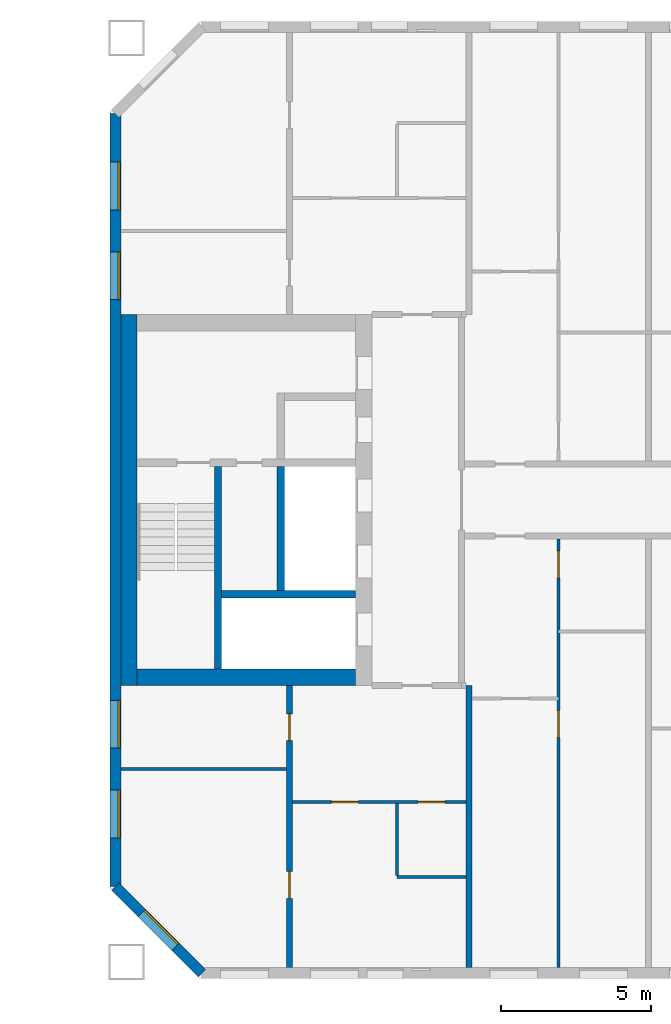
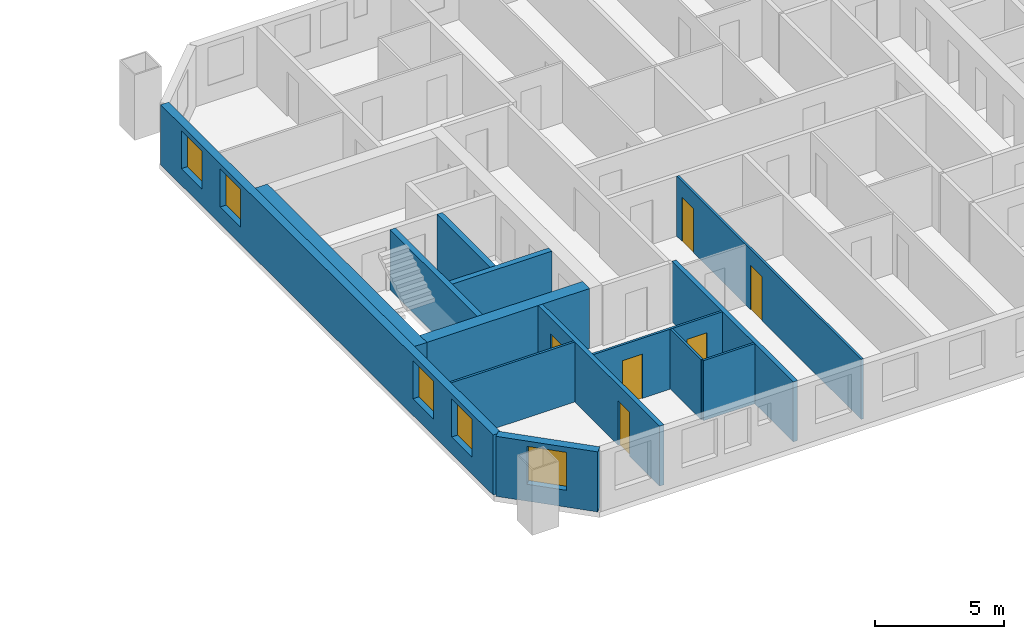
# One storey, part 9 of 16: 14 walls, 6 doors, 5 windows, 11 openings.
"""IFC4 building model written with IfcOpenShell, lengths in metres."""

from ifc_helpers import new_model, si_unit, direction, frame, frame_2d, origin, place, context, subcontext, project, spatial, rectangle, extrude, material, layer, layer_set, type_object, element, fill, save


model = new_model("IFC4")

# Units and contexts
model_context = context("Model", 3, precision=1e-05, world=origin(), true_north=direction((0.0, 1.0)))
body_context = subcontext(model_context, "Body", "Model", "MODEL_VIEW")
ifc_project = project(units=[si_unit("LENGTHUNIT", "METRE"), si_unit("AREAUNIT", "SQUARE_METRE"), si_unit("VOLUMEUNIT", "CUBIC_METRE"), si_unit("PLANEANGLEUNIT", "RADIAN"), si_unit("MASSUNIT", "GRAM", prefix="KILO")], contexts=[model_context])

# Site, building, storey
site_placement = place(None, origin())
site = spatial("IfcSite", under=ifc_project, at=site_placement, CompositionType="ELEMENT")
building_placement = place(site_placement, origin())
building = spatial("IfcBuilding", under=site, at=building_placement, Name="Tuart Gate Housing", CompositionType="ELEMENT")
storey_placement = place(building_placement, frame((0.0, 0.0, 129.89990234375)))
storey = spatial("IfcBuildingStorey", under=building, at=storey_placement, Name="L36", CompositionType="ELEMENT", Elevation=129.89990234375)

# Wall, opening, window
ifc_material_1 = material(Name="Brick", Category="masonry")
ifc_layer_1 = layer(ifc_material_1, 0.360107421875)
ifc_layer_set_1 = layer_set([ifc_layer_1], Name="Brick pier and spandrel wall 360")
wall_type_1 = type_object("IfcWallType", Name="Brick pier and spandrel wall 360", PredefinedType="STANDARD", material=ifc_layer_set_1)
wall_1_placement = place(storey_placement, frame((131.179931640625, 57.07470703125, 0.0), z_axis=(0.0, 0.0, 1.0), x_axis=(0.707106781187, -0.707106781187, 0.0)))
wall_1 = element("IfcWall", 1, at=wall_1_placement, inside=storey, type_object=wall_type_1, Name="External wall B-SW L36", PredefinedType="STANDARD", context=body_context, shape_type="SweptSolid", body=[
    extrude(rectangle(XDim=4.09375, YDim=0.360107421875, at=frame_2d((2.046875, 0.0))), origin(), (0.0, 0.0, 1.0), 2.85009765625),
])
opening_1_placement = place(wall_1_placement, frame((1.2470703125, 0.0, 0.800048828125)))
opening_1 = element("IfcOpeningElement", 2, at=opening_1_placement, cuts=wall_1, Name="Opening W1", PredefinedType="OPENING", context=body_context, shape_type="SweptSolid", body=[
    extrude(rectangle(XDim=1.60009765625, YDim=1.800048828125, at=frame_2d((0.800048828125, 0.89990234375))), frame((0.0, 0.18994140625, 0.0), z_axis=(0.0, -1.0, 0.0), x_axis=(1.0, 0.0, 0.0)), (0.0, 0.0, 1.0), 0.380126953125),
])
ifc_material_2 = material(Name="Aluminium frame with clear glass", Category="aluminium")
window_type = type_object("IfcWindowType", Name="Punched window 1600 x 1800", PartitioningType="SINGLE_PANEL", PredefinedType="WINDOW", material=ifc_material_2)
window_1_placement = place(opening_1_placement, origin())
window_1 = element("IfcWindow", 3, at=window_1_placement, inside=storey, type_object=window_type, Name="Window W1", OverallHeight=1.800048828125, OverallWidth=1.60009765625, PartitioningType="SINGLE_PANEL", PredefinedType="WINDOW", context=body_context, shape_type="SweptSolid", body=[
    extrude(rectangle(XDim=1.60009765625, YDim=1.800048828125, at=frame_2d((0.800048828125, 0.89990234375))), frame((0.0, 0.150146484375, 0.0), z_axis=(0.0, -1.0, 0.0), x_axis=(1.0, 0.0, 0.0)), (0.0, 0.0, 1.0), 0.06005859375),
])
fill(opening_1, window_1)

# Wall, openings, windows
wall_2_placement = place(storey_placement, frame((131.179931640625, 82.92529296875, 0.0), z_axis=(0.0, 0.0, 1.0), x_axis=(0.0, -1.0, 0.0)))
wall_2 = element("IfcWall", 4, at=wall_2_placement, inside=storey, type_object=wall_type_1, Name="External wall B-W L36", PredefinedType="STANDARD", context=body_context, shape_type="SweptSolid", body=[
    extrude(rectangle(XDim=25.850830078125, YDim=0.360107421875, at=frame_2d((12.92529296875, 0.0))), origin(), (0.0, 0.0, 1.0), 2.85009765625),
])
opening_2_placement = place(wall_2_placement, frame((1.62548828125, 0.0, 0.800048828125)))
opening_2 = element("IfcOpeningElement", 5, at=opening_2_placement, cuts=wall_2, Name="Opening W1", PredefinedType="OPENING", context=body_context, shape_type="SweptSolid", body=[
    extrude(rectangle(XDim=1.60009765625, YDim=1.800048828125, at=frame_2d((0.800048828125, 0.89990234375))), frame((0.0, 0.18994140625, 0.0), z_axis=(0.0, -1.0, 0.0), x_axis=(1.0, 0.0, 0.0)), (0.0, 0.0, 1.0), 0.380126953125),
])
opening_3_placement = place(wall_2_placement, frame((4.62548828125, 0.0, 0.800048828125)))
opening_3 = element("IfcOpeningElement", 6, at=opening_3_placement, cuts=wall_2, Name="Opening W1", PredefinedType="OPENING", context=body_context, shape_type="SweptSolid", body=[
    extrude(rectangle(XDim=1.60009765625, YDim=1.800048828125, at=frame_2d((0.800048828125, 0.89990234375))), frame((0.0, 0.18994140625, 0.0), z_axis=(0.0, -1.0, 0.0), x_axis=(1.0, 0.0, 0.0)), (0.0, 0.0, 1.0), 0.380126953125),
])
opening_4_placement = place(wall_2_placement, frame((19.62548828125, 0.0, 0.800048828125)))
opening_4 = element("IfcOpeningElement", 7, at=opening_4_placement, cuts=wall_2, Name="Opening W1", PredefinedType="OPENING", context=body_context, shape_type="SweptSolid", body=[
    extrude(rectangle(XDim=1.60009765625, YDim=1.800048828125, at=frame_2d((0.800048828125, 0.89990234375))), frame((0.0, 0.18994140625, 0.0), z_axis=(0.0, -1.0, 0.0), x_axis=(1.0, 0.0, 0.0)), (0.0, 0.0, 1.0), 0.380126953125),
])
opening_5_placement = place(wall_2_placement, frame((22.62548828125, 0.0, 0.800048828125)))
opening_5 = element("IfcOpeningElement", 8, at=opening_5_placement, cuts=wall_2, Name="Opening W1", PredefinedType="OPENING", context=body_context, shape_type="SweptSolid", body=[
    extrude(rectangle(XDim=1.60009765625, YDim=1.800048828125, at=frame_2d((0.800048828125, 0.89990234375))), frame((0.0, 0.18994140625, 0.0), z_axis=(0.0, -1.0, 0.0), x_axis=(1.0, 0.0, 0.0)), (0.0, 0.0, 1.0), 0.380126953125),
])
window_2_placement = place(opening_2_placement, origin())
window_2 = element("IfcWindow", 9, at=window_2_placement, inside=storey, type_object=window_type, Name="Window W1", OverallHeight=1.800048828125, OverallWidth=1.60009765625, PartitioningType="SINGLE_PANEL", PredefinedType="WINDOW", context=body_context, shape_type="SweptSolid", body=[
    extrude(rectangle(XDim=1.60009765625, YDim=1.800048828125, at=frame_2d((0.800048828125, 0.89990234375))), frame((0.0, 0.150146484375, 0.0), z_axis=(0.0, -1.0, 0.0), x_axis=(1.0, 0.0, 0.0)), (0.0, 0.0, 1.0), 0.06005859375),
])
fill(opening_2, window_2)
window_3_placement = place(opening_3_placement, origin())
window_3 = element("IfcWindow", 10, at=window_3_placement, inside=storey, type_object=window_type, Name="Window W1", OverallHeight=1.800048828125, OverallWidth=1.60009765625, PartitioningType="SINGLE_PANEL", PredefinedType="WINDOW", context=body_context, shape_type="SweptSolid", body=[
    extrude(rectangle(XDim=1.60009765625, YDim=1.800048828125, at=frame_2d((0.800048828125, 0.89990234375))), frame((0.0, 0.150146484375, 0.0), z_axis=(0.0, -1.0, 0.0), x_axis=(1.0, 0.0, 0.0)), (0.0, 0.0, 1.0), 0.06005859375),
])
fill(opening_3, window_3)
window_4_placement = place(opening_4_placement, origin())
window_4 = element("IfcWindow", 11, at=window_4_placement, inside=storey, type_object=window_type, Name="Window W1", OverallHeight=1.800048828125, OverallWidth=1.60009765625, PartitioningType="SINGLE_PANEL", PredefinedType="WINDOW", context=body_context, shape_type="SweptSolid", body=[
    extrude(rectangle(XDim=1.60009765625, YDim=1.800048828125, at=frame_2d((0.800048828125, 0.89990234375))), frame((0.0, 0.150146484375, 0.0), z_axis=(0.0, -1.0, 0.0), x_axis=(1.0, 0.0, 0.0)), (0.0, 0.0, 1.0), 0.06005859375),
])
fill(opening_4, window_4)
window_5_placement = place(opening_5_placement, origin())
window_5 = element("IfcWindow", 12, at=window_5_placement, inside=storey, type_object=window_type, Name="Window W1", OverallHeight=1.800048828125, OverallWidth=1.60009765625, PartitioningType="SINGLE_PANEL", PredefinedType="WINDOW", context=body_context, shape_type="SweptSolid", body=[
    extrude(rectangle(XDim=1.60009765625, YDim=1.800048828125, at=frame_2d((0.800048828125, 0.89990234375))), frame((0.0, 0.150146484375, 0.0), z_axis=(0.0, -1.0, 0.0), x_axis=(1.0, 0.0, 0.0)), (0.0, 0.0, 1.0), 0.06005859375),
])
fill(opening_5, window_5)

# Walls
ifc_material_3 = material(Name="Concrete C50", Category="concrete")
ifc_layer_2 = layer(ifc_material_3, 0.25)
ifc_layer_set_2 = layer_set([ifc_layer_2], Name="Core wall 250 C50")
wall_type_2 = type_object("IfcWallType", Name="Core wall 250 C50", PredefinedType="SHEAR", material=ifc_layer_set_2)
wall_3_placement = place(storey_placement, frame((139.2099609375, 66.85009765625, 0.0), z_axis=(0.0, 0.0, 1.0), x_axis=(-1.0, 0.0, 0.0)))
element("IfcWall", 13, at=wall_3_placement, inside=storey, type_object=wall_type_2, Name="Core wall BG.1", PredefinedType="SHEAR", context=body_context, shape_type="SweptSolid", body=[
    extrude(rectangle(XDim=4.474853515625, YDim=0.25, at=frame_2d((2.2373046875, 0.0))), origin(), (0.0, 0.0, 1.0), 2.85009765625),
])
wall_4_placement = place(storey_placement, frame((136.7099609375, 66.97509765625, 0.0), z_axis=(0.0, 0.0, 1.0), x_axis=(0.0, 1.0, 0.0)))
element("IfcWall", 14, at=wall_4_placement, inside=storey, type_object=wall_type_2, Name="Core wall BG.4", PredefinedType="SHEAR", context=body_context, shape_type="SweptSolid", body=[
    extrude(rectangle(XDim=4.14990234375, YDim=0.25, at=frame_2d((2.074951171875, 0.0))), origin(), (0.0, 0.0, 1.0), 2.85009765625),
])
wall_5_placement = place(storey_placement, frame((134.610107421875, 64.35009765625, 0.0), z_axis=(0.0, 0.0, 1.0), x_axis=(0.0, 1.0, 0.0)))
element("IfcWall", 15, at=wall_5_placement, inside=storey, type_object=wall_type_2, Name="Core wall BG.6", PredefinedType="SHEAR", context=body_context, shape_type="SweptSolid", body=[
    extrude(rectangle(XDim=6.77490234375, YDim=0.25, at=frame_2d((3.387451171875, 0.0))), origin(), (0.0, 0.0, 1.0), 2.85009765625),
])
ifc_material_4 = material(Name="Concrete C50", Category="concrete")
ifc_layer_3 = layer(ifc_material_4, 0.550048828125)
ifc_layer_set_3 = layer_set([ifc_layer_3], Name="Core wall 550 C50")
wall_type_3 = type_object("IfcWallType", Name="Core wall 550 C50", PredefinedType="SHEAR", material=ifc_layer_set_3)
wall_6_placement = place(storey_placement, frame((131.635009765625, 63.800048828125, 0.0), z_axis=(0.0, 0.0, 1.0), x_axis=(0.0, 1.0, 0.0)))
element("IfcWall", 16, at=wall_6_placement, inside=storey, type_object=wall_type_3, Name="Core wall BG back", PredefinedType="SHEAR", context=body_context, shape_type="SweptSolid", body=[
    extrude(rectangle(XDim=12.39990234375, YDim=0.550048828125, at=frame_2d((6.199951171875, 0.0))), origin(), (0.0, 0.0, 1.0), 2.85009765625),
])
wall_7_placement = place(storey_placement, frame((139.2099609375, 64.074951171875, 0.0), z_axis=(0.0, 0.0, 1.0), x_axis=(-1.0, 0.0, 0.0)))
element("IfcWall", 17, at=wall_7_placement, inside=storey, type_object=wall_type_3, Name="Core wall BG south", PredefinedType="SHEAR", context=body_context, shape_type="SweptSolid", body=[
    extrude(rectangle(XDim=7.300048828125, YDim=0.550048828125, at=frame_2d((3.64990234375, 0.0))), origin(), (0.0, 0.0, 1.0), 2.85009765625),
])
ifc_material_5 = material(Name="Gypsum board on steel studs", Category="steel")
ifc_layer_4 = layer(ifc_material_5, 0.10009765625)
ifc_layer_set_4 = layer_set([ifc_layer_4], Name="Partition 100")
wall_type_4 = type_object("IfcWallType", Name="Partition 100", PredefinedType="PARTITIONING", material=ifc_layer_set_4)
wall_8_placement = place(storey_placement, frame((140.60009765625, 57.39990234375, 0.0), z_axis=(0.0, 0.0, 1.0), x_axis=(1.0, 0.0, 0.0)))
element("IfcWall", 18, at=wall_8_placement, inside=storey, type_object=wall_type_4, Name="Partition 100", PredefinedType="PARTITIONING", context=body_context, shape_type="SweptSolid", body=[
    extrude(rectangle(XDim=2.2998046875, YDim=0.10009765625, at=frame_2d((1.14990234375, 0.0))), origin(), (0.0, 0.0, 1.0), 2.85009765625),
])

# Wall, openings, doors
wall_9_placement = place(storey_placement, frame((137.10009765625, 59.89990234375, 0.0), z_axis=(0.0, 0.0, 1.0), x_axis=(1.0, 0.0, 0.0)))
wall_9 = element("IfcWall", 19, at=wall_9_placement, inside=storey, type_object=wall_type_4, Name="Partition 100", PredefinedType="PARTITIONING", context=body_context, shape_type="SweptSolid", body=[
    extrude(rectangle(XDim=5.7998046875, YDim=0.10009765625, at=frame_2d((2.89990234375, 0.0))), origin(), (0.0, 0.0, 1.0), 2.85009765625),
])
opening_6_placement = place(wall_9_placement, frame((1.300048828125, 0.0, 0.0)))
opening_6 = element("IfcOpeningElement", 20, at=opening_6_placement, cuts=wall_9, Name="Opening D1396", PredefinedType="OPENING", context=body_context, shape_type="SweptSolid", body=[
    extrude(rectangle(XDim=0.89990234375, YDim=2.10009765625, at=frame_2d((0.449951171875, 1.050048828125))), frame((0.0, 0.06005859375, 0.0), z_axis=(0.0, -1.0, 0.0), x_axis=(1.0, 0.0, 0.0)), (0.0, 0.0, 1.0), 0.1201171875),
])
opening_7_placement = place(wall_9_placement, frame((4.199951171875, 0.0, 0.0)))
opening_7 = element("IfcOpeningElement", 21, at=opening_7_placement, cuts=wall_9, Name="Opening D1395", PredefinedType="OPENING", context=body_context, shape_type="SweptSolid", body=[
    extrude(rectangle(XDim=0.89990234375, YDim=2.10009765625, at=frame_2d((0.449951171875, 1.050048828125))), frame((0.0, 0.06005859375, 0.0), z_axis=(0.0, -1.0, 0.0), x_axis=(1.0, 0.0, 0.0)), (0.0, 0.0, 1.0), 0.1201171875),
])
ifc_material_6 = material(Name="Timber door leaf in steel frame", Category="steel")
door_type_1 = type_object("IfcDoorType", Name="Bathroom door 900 RH", OperationType="SINGLE_SWING_RIGHT", PredefinedType="DOOR", material=ifc_material_6)
door_1_placement = place(opening_7_placement, frame((0.89990234375, 0.0, 0.0), z_axis=(0.0, 0.0, 1.0), x_axis=(-1.0, 0.0, 0.0)))
door_1 = element("IfcDoor", 22, at=door_1_placement, inside=storey, type_object=door_type_1, Name="Bathroom door", OperationType="SINGLE_SWING_RIGHT", OverallHeight=2.10009765625, OverallWidth=0.89990234375, PredefinedType="DOOR", context=body_context, shape_type="SweptSolid", body=[
    extrude(rectangle(XDim=0.89990234375, YDim=2.10009765625, at=frame_2d((0.449951171875, 1.050048828125))), frame((0.0, 0.025146484375, 0.0), z_axis=(0.0, -1.0, 0.0), x_axis=(1.0, 0.0, 0.0)), (0.0, 0.0, 1.0), 0.050048828125),
])
fill(opening_7, door_1)
ifc_material_7 = material(Name="Timber door leaf in steel frame", Category="steel")
door_type_2 = type_object("IfcDoorType", Name="Internal door 900", OperationType="SINGLE_SWING_LEFT", PredefinedType="DOOR", material=ifc_material_7)
door_2_placement = place(opening_6_placement, origin())
door_2 = element("IfcDoor", 23, at=door_2_placement, inside=storey, type_object=door_type_2, Name="Internal door", OperationType="SINGLE_SWING_LEFT", OverallHeight=2.10009765625, OverallWidth=0.89990234375, PredefinedType="DOOR", context=body_context, shape_type="SweptSolid", body=[
    extrude(rectangle(XDim=0.89990234375, YDim=2.10009765625, at=frame_2d((0.449951171875, 1.050048828125))), frame((0.0, 0.02490234375, 0.0), z_axis=(0.0, -1.0, 0.0), x_axis=(1.0, 0.0, 0.0)), (0.0, 0.0, 1.0), 0.050048828125),
])
fill(opening_6, door_2)

# Walls
wall_10_placement = place(storey_placement, frame((131.360107421875, 61.0, 0.0), z_axis=(0.0, 0.0, 1.0), x_axis=(1.0, 0.0, 0.0)))
element("IfcWall", 24, at=wall_10_placement, inside=storey, type_object=wall_type_4, Name="Partition 100", PredefinedType="PARTITIONING", context=body_context, shape_type="SweptSolid", body=[
    extrude(rectangle(XDim=5.539794921875, YDim=0.10009765625, at=frame_2d((2.77001953125, 0.0))), origin(), (0.0, 0.0, 1.0), 2.85009765625),
])
wall_11_placement = place(storey_placement, frame((140.60009765625, 57.449951171875, 0.0), z_axis=(0.0, 0.0, 1.0), x_axis=(0.0, 1.0, 0.0)))
element("IfcWall", 25, at=wall_11_placement, inside=storey, type_object=wall_type_4, Name="Partition 100", PredefinedType="PARTITIONING", context=body_context, shape_type="SweptSolid", body=[
    extrude(rectangle(XDim=2.400146484375, YDim=0.10009765625, at=frame_2d((1.2001953125, 0.0))), origin(), (0.0, 0.0, 1.0), 2.85009765625),
])

# Wall, openings, doors
wall_12_placement = place(storey_placement, frame((146.0, 54.360107421875, 0.0), z_axis=(0.0, 0.0, 1.0), x_axis=(0.0, 1.0, 0.0)))
wall_12 = element("IfcWall", 26, at=wall_12_placement, inside=storey, type_object=wall_type_4, Name="Partition 100", PredefinedType="PARTITIONING", context=body_context, shape_type="SweptSolid", body=[
    extrude(rectangle(XDim=14.33984375, YDim=0.10009765625, at=frame_2d((7.169921875, 0.0))), origin(), (0.0, 0.0, 1.0), 2.85009765625),
])
opening_8_placement = place(wall_12_placement, frame((7.699951171875, 0.0, 0.0)))
opening_8 = element("IfcOpeningElement", 27, at=opening_8_placement, cuts=wall_12, Name="Opening D1390", PredefinedType="OPENING", context=body_context, shape_type="SweptSolid", body=[
    extrude(rectangle(XDim=0.89990234375, YDim=2.10009765625, at=frame_2d((0.449951171875, 1.050048828125))), frame((0.0, 0.06005859375, 0.0), z_axis=(0.0, -1.0, 0.0), x_axis=(1.0, 0.0, 0.0)), (0.0, 0.0, 1.0), 0.1201171875),
])
opening_9_placement = place(wall_12_placement, frame((13.0400390625, 0.0, 0.0)))
opening_9 = element("IfcOpeningElement", 28, at=opening_9_placement, cuts=wall_12, Name="Opening D1389", PredefinedType="OPENING", context=body_context, shape_type="SweptSolid", body=[
    extrude(rectangle(XDim=0.89990234375, YDim=2.10009765625, at=frame_2d((0.449951171875, 1.050048828125))), frame((0.0, 0.06005859375, 0.0), z_axis=(0.0, -1.0, 0.0), x_axis=(1.0, 0.0, 0.0)), (0.0, 0.0, 1.0), 0.1201171875),
])
ifc_material_8 = material(Name="Timber door leaf in steel frame", Category="steel")
door_type_3 = type_object("IfcDoorType", Name="Bathroom door 900", OperationType="SINGLE_SWING_LEFT", PredefinedType="DOOR", material=ifc_material_8)
door_3_placement = place(opening_9_placement, frame((0.89990234375, 0.0, 0.0), z_axis=(0.0, 0.0, 1.0), x_axis=(-1.0, 0.0, 0.0)))
door_3 = element("IfcDoor", 29, at=door_3_placement, inside=storey, type_object=door_type_3, Name="Bathroom door", OperationType="SINGLE_SWING_LEFT", OverallHeight=2.10009765625, OverallWidth=0.89990234375, PredefinedType="DOOR", context=body_context, shape_type="SweptSolid", body=[
    extrude(rectangle(XDim=0.89990234375, YDim=2.10009765625, at=frame_2d((0.449951171875, 1.050048828125))), frame((0.0, 0.025146484375, 0.0), z_axis=(0.0, -1.0, 0.0), x_axis=(1.0, 0.0, 0.0)), (0.0, 0.0, 1.0), 0.050048828125),
])
fill(opening_9, door_3)
door_4_placement = place(opening_8_placement, frame((0.89990234375, 0.0, 0.0), z_axis=(0.0, 0.0, 1.0), x_axis=(-1.0, 0.0, 0.0)))
door_4 = element("IfcDoor", 30, at=door_4_placement, inside=storey, type_object=door_type_2, Name="Internal door", OperationType="SINGLE_SWING_LEFT", OverallHeight=2.10009765625, OverallWidth=0.89990234375, PredefinedType="DOOR", context=body_context, shape_type="SweptSolid", body=[
    extrude(rectangle(XDim=0.89990234375, YDim=2.10009765625, at=frame_2d((0.449951171875, 1.050048828125))), frame((0.0, 0.025146484375, 0.0), z_axis=(0.0, -1.0, 0.0), x_axis=(1.0, 0.0, 0.0)), (0.0, 0.0, 1.0), 0.050048828125),
])
fill(opening_8, door_4)

ifc_material_9 = material(Name="Concrete C40", Category="concrete")
ifc_layer_5 = layer(ifc_material_9, 0.199951171875)
ifc_layer_set_5 = layer_set([ifc_layer_5], Name="Party wall concrete C40 200")
wall_type_5 = type_object("IfcWallType", Name="Party wall concrete C40 200", PredefinedType="SOLIDWALL", material=ifc_layer_set_5)
wall_13_placement = place(storey_placement, frame((137.0, 54.360107421875, 0.0), z_axis=(0.0, 0.0, 1.0), x_axis=(0.0, 1.0, 0.0)))
wall_13 = element("IfcWall", 31, at=wall_13_placement, inside=storey, type_object=wall_type_5, Name="Party wall concrete C40 200", PredefinedType="SOLIDWALL", context=body_context, shape_type="SweptSolid", body=[
    extrude(rectangle(XDim=9.43994140625, YDim=0.199951171875, at=frame_2d((4.719970703125, 0.0))), origin(), (0.0, 0.0, 1.0), 2.85009765625),
])
opening_10_placement = place(wall_13_placement, frame((2.320068359375, 0.0, 0.0)))
opening_10 = element("IfcOpeningElement", 32, at=opening_10_placement, cuts=wall_13, Name="Opening D1398", PredefinedType="OPENING", context=body_context, shape_type="SweptSolid", body=[
    extrude(rectangle(XDim=0.89990234375, YDim=2.10009765625, at=frame_2d((0.449951171875, 1.050048828125))), frame((0.0, 0.10986328125, 0.0), z_axis=(0.0, -1.0, 0.0), x_axis=(1.0, 0.0, 0.0)), (0.0, 0.0, 1.0), 0.219970703125),
])
opening_11_placement = place(wall_13_placement, frame((7.590087890625, 0.0, 0.0)))
opening_11 = element("IfcOpeningElement", 33, at=opening_11_placement, cuts=wall_13, Name="Opening D1399", PredefinedType="OPENING", context=body_context, shape_type="SweptSolid", body=[
    extrude(rectangle(XDim=0.89990234375, YDim=2.10009765625, at=frame_2d((0.449951171875, 1.050048828125))), frame((0.0, 0.10986328125, 0.0), z_axis=(0.0, -1.0, 0.0), x_axis=(1.0, 0.0, 0.0)), (0.0, 0.0, 1.0), 0.219970703125),
])
door_5_placement = place(opening_10_placement, origin())
door_5 = element("IfcDoor", 34, at=door_5_placement, inside=storey, type_object=door_type_2, Name="Internal door", OperationType="SINGLE_SWING_LEFT", OverallHeight=2.10009765625, OverallWidth=0.89990234375, PredefinedType="DOOR", context=body_context, shape_type="SweptSolid", body=[
    extrude(rectangle(XDim=0.89990234375, YDim=2.10009765625, at=frame_2d((0.449951171875, 1.050048828125))), frame((0.0, 0.02490234375, 0.0), z_axis=(0.0, -1.0, 0.0), x_axis=(1.0, 0.0, 0.0)), (0.0, 0.0, 1.0), 0.050048828125),
])
fill(opening_10, door_5)
door_6_placement = place(opening_11_placement, origin())
door_6 = element("IfcDoor", 35, at=door_6_placement, inside=storey, type_object=door_type_2, Name="Internal door", OperationType="SINGLE_SWING_LEFT", OverallHeight=2.10009765625, OverallWidth=0.89990234375, PredefinedType="DOOR", context=body_context, shape_type="SweptSolid", body=[
    extrude(rectangle(XDim=0.89990234375, YDim=2.10009765625, at=frame_2d((0.449951171875, 1.050048828125))), frame((0.0, 0.02490234375, 0.0), z_axis=(0.0, -1.0, 0.0), x_axis=(1.0, 0.0, 0.0)), (0.0, 0.0, 1.0), 0.050048828125),
])
fill(opening_11, door_6)

# Wall
wall_14_placement = place(storey_placement, frame((143.0, 54.360107421875, 0.0), z_axis=(0.0, 0.0, 1.0), x_axis=(0.0, 1.0, 0.0)))
element("IfcWall", 36, at=wall_14_placement, inside=storey, type_object=wall_type_5, Name="Party wall concrete C40 200", PredefinedType="SOLIDWALL", context=body_context, shape_type="SweptSolid", body=[
    extrude(rectangle(XDim=9.43994140625, YDim=0.199951171875, at=frame_2d((4.719970703125, 0.0))), origin(), (0.0, 0.0, 1.0), 2.85009765625),
])

save(model, "model.ifc")
